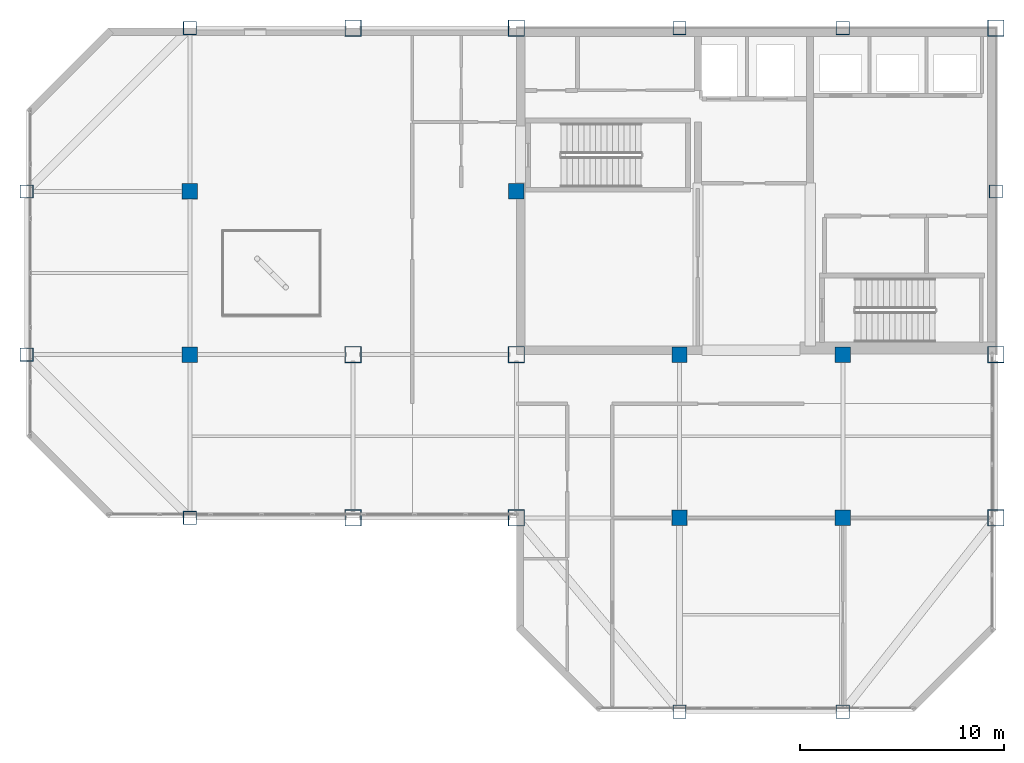
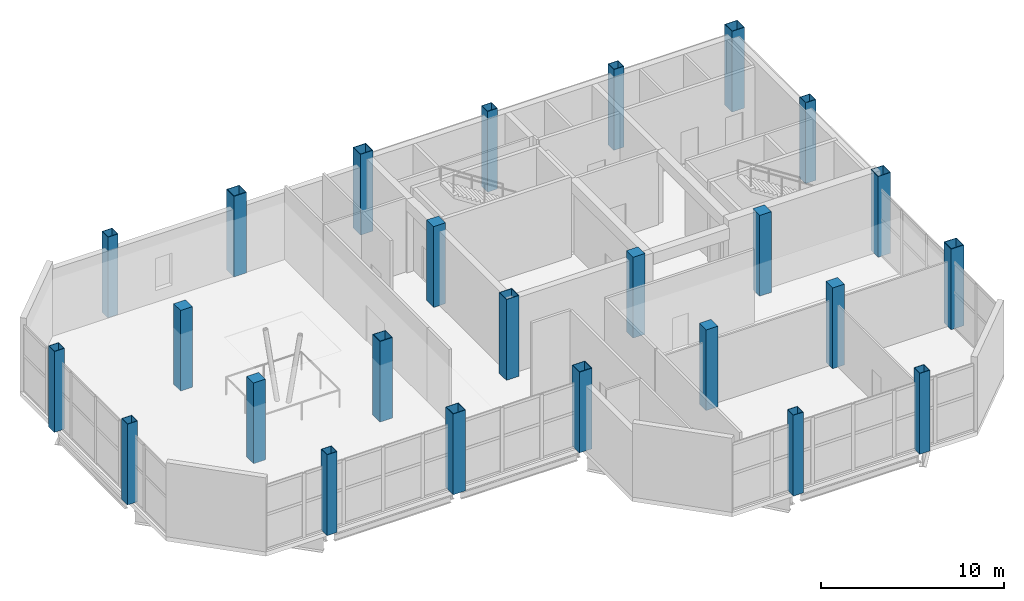
# One storey, part 1 of 16: 25 columns.
"""IFC4 building model written with IfcOpenShell, lengths in metres."""

from ifc_helpers import new_model, si_unit, direction, frame, origin, origin_2d, place, context, subcontext, project, spatial, rectangle, hollow_rectangle, extrude, material, material_profile, profile_set, type_object, element, save


model = new_model("IFC4")

# Units and contexts
model_context = context("Model", 3, precision=1e-05, world=origin(), true_north=direction((0.0, 1.0)))
body_context = subcontext(model_context, "Body", "Model", "MODEL_VIEW")
ifc_project = project(units=[si_unit("LENGTHUNIT", "METRE"), si_unit("AREAUNIT", "SQUARE_METRE"), si_unit("VOLUMEUNIT", "CUBIC_METRE"), si_unit("PLANEANGLEUNIT", "RADIAN"), si_unit("MASSUNIT", "GRAM", prefix="KILO")], contexts=[model_context])

# Site, building, storey
site_placement = place(None, origin())
site = spatial("IfcSite", under=ifc_project, at=site_placement, CompositionType="ELEMENT")
building_placement = place(site_placement, origin())
building = spatial("IfcBuilding", under=site, at=building_placement, Name="Qianrong Seaharbour Tower", CompositionType="ELEMENT")
storey_placement = place(building_placement, frame((0.0, 0.0, 378.39990234375)))
storey = spatial("IfcBuildingStorey", under=building, at=storey_placement, Name="L91", CompositionType="ELEMENT", Elevation=378.39990234375)

# Columns
ifc_material_1 = material(Name="Structural steel SN490B", Category="steel")
ifc_material_profile_1 = material_profile(ifc_material_1, hollow_rectangle(XDim=0.800048828125, YDim=0.800048828125, WallThickness=0.031982421875, at=origin_2d()), Name="BOX800x800x32")
ifc_profile_set_1 = profile_set([ifc_material_profile_1], Name="Structural steel SN490B")
column_type_1 = type_object("IfcColumnType", Name="COL-CFT-800", PredefinedType="COLUMN", material=ifc_profile_set_1)
for number, where, z_axis, x_axis, name in (
    (1, (32.5, 28.0, 0.0), (0.0, 0.0, 1.0), (1.0, 0.0, 0.0), "L91 Column MC-5 at G5/GE"),
    (2, (32.5, 36.0, 0.0), (0.0, 0.0, 1.0), (1.0, 0.0, 0.0), "L91 Column MC-5 at G5/GF"),
    (3, (32.5, 52.0, 0.0), (0.0, 0.0, 1.0), (1.0, 0.0, 0.0), "L91 Column MC-5 at G5/GH"),
    (4, (40.5, 28.0, 0.0), (0.0, 0.0, 1.0), (1.0, 0.0, 0.0), "L91 Column MC-5 at G6/GE"),
    (5, (40.5, 36.0, 0.0), (0.0, 0.0, 1.0), (1.0, 0.0, 0.0), "L91 Column MC-5 at G6/GF"),
    (6, (40.5, 52.0, 0.0), (0.0, 0.0, 1.0), (1.0, 0.0, 0.0), "L91 Column MC-5 at G6/GH"),
    (7, (64.0, 28.0, 0.0), (0.0, 0.0, 1.0), (1.0, 0.0, 0.0), "L91 Column MC-5 at G9/GE"),
    (8, (64.0, 36.0, 0.0), (0.0, 0.0, 1.0), (1.0, 0.0, 0.0), "L91 Column MC-5 at G9/GF"),
    (9, (64.0, 52.0, 0.0), (0.0, 0.0, 1.0), (1.0, 0.0, 0.0), "L91 Column MC-5 at G9/GH"),
):
    element("IfcColumn", number, at=place(storey_placement, frame(where, z_axis=z_axis, x_axis=x_axis)), inside=storey, type_object=column_type_1, Name=name, PredefinedType="COLUMN", context=body_context, shape_type="SweptSolid", body=[
        extrude(hollow_rectangle(XDim=0.800048828125, YDim=0.800048828125, WallThickness=0.031982421875, at=origin_2d()), origin(), (0.0, 0.0, 1.0), 5.400146484375),
    ])
ifc_material_2 = material(Name="Concrete C50/60", Category="concrete")
ifc_material_profile_2 = material_profile(ifc_material_2, rectangle(XDim=0.75, YDim=0.75, at=origin_2d()), Name="RC750x750")
ifc_profile_set_2 = profile_set([ifc_material_profile_2], Name="Concrete C50/60")
column_type_2 = type_object("IfcColumnType", Name="COL-INT-RC750", PredefinedType="COLUMN", material=ifc_profile_set_2)
for number, where, z_axis, x_axis, name in (
    (10, (24.5, 36.0, 0.0), (0.0, 0.0, 1.0), (1.0, 0.0, 0.0), "L91 Column IC-4 at G4/GF"),
    (11, (24.5, 44.0, 0.0), (0.0, 0.0, 1.0), (1.0, 0.0, 0.0), "L91 Column IC-4 at G4/GG"),
    (12, (40.5, 44.0, 0.0), (0.0, 0.0, 1.0), (1.0, 0.0, 0.0), "L91 Column IC-4 at G6/GG"),
    (13, (48.5, 28.0, 0.0), (0.0, 0.0, 1.0), (1.0, 0.0, 0.0), "L91 Column IC-4 at G7/GE"),
    (14, (48.5, 36.0, 0.0), (0.0, 0.0, 1.0), (1.0, 0.0, 0.0), "L91 Column IC-4 at G7/GF"),
    (15, (56.5, 28.0, 0.0), (0.0, 0.0, 1.0), (1.0, 0.0, 0.0), "L91 Column IC-4 at G8/GE"),
    (16, (56.5, 36.0, 0.0), (0.0, 0.0, 1.0), (1.0, 0.0, 0.0), "L91 Column IC-4 at G8/GF"),
):
    element("IfcColumn", number, at=place(storey_placement, frame(where, z_axis=z_axis, x_axis=x_axis)), inside=storey, type_object=column_type_2, Name=name, PredefinedType="COLUMN", context=body_context, shape_type="SweptSolid", body=[
        extrude(rectangle(XDim=0.75, YDim=0.75, at=origin_2d()), origin(), (0.0, 0.0, 1.0), 5.400146484375),
    ])
ifc_material_3 = material(Name="Structural steel SN400B", Category="steel")
ifc_material_profile_3 = material_profile(ifc_material_3, hollow_rectangle(XDim=0.64990234375, YDim=0.64990234375, WallThickness=0.028076171875, at=origin_2d()), Name="BOX650x650x28")
ifc_profile_set_3 = profile_set([ifc_material_profile_3], Name="Structural steel SN400B")
column_type_3 = type_object("IfcColumnType", Name="COL-PER-650", PredefinedType="COLUMN", material=ifc_profile_set_3)
for number, where, z_axis, x_axis, name in (
    (17, (16.5, 36.0, 0.0), (0.0, 0.0, 1.0), (1.0, 0.0, 0.0), "L91 Column PC-4 at G3/GF"),
    (18, (16.5, 44.0, 0.0), (0.0, 0.0, 1.0), (1.0, 0.0, 0.0), "L91 Column PC-4 at G3/GG"),
    (19, (24.5, 28.0, 0.0), (0.0, 0.0, 1.0), (1.0, 0.0, 0.0), "L91 Column PC-4 at G4/GE"),
    (20, (24.5, 52.0, 0.0), (0.0, 0.0, 1.0), (1.0, 0.0, 0.0), "L91 Column PC-4 at G4/GH"),
    (21, (48.5, 18.5, 0.0), (0.0, 0.0, 1.0), (1.0, 0.0, 0.0), "L91 Column PC-4 at G7/GD"),
    (22, (48.5, 52.0, 0.0), (0.0, 0.0, 1.0), (1.0, 0.0, 0.0), "L91 Column PC-4 at G7/GH"),
    (23, (56.5, 18.5, 0.0), (0.0, 0.0, 1.0), (1.0, 0.0, 0.0), "L91 Column PC-4 at G8/GD"),
    (24, (56.5, 52.0, 0.0), (0.0, 0.0, 1.0), (1.0, 0.0, 0.0), "L91 Column PC-4 at G8/GH"),
    (25, (64.0, 44.0, 0.0), (0.0, 0.0, 1.0), (1.0, 0.0, 0.0), "L91 Column PC-4 at G9/GG"),
):
    element("IfcColumn", number, at=place(storey_placement, frame(where, z_axis=z_axis, x_axis=x_axis)), inside=storey, type_object=column_type_3, Name=name, PredefinedType="COLUMN", context=body_context, shape_type="SweptSolid", body=[
        extrude(hollow_rectangle(XDim=0.64990234375, YDim=0.64990234375, WallThickness=0.028076171875, at=origin_2d()), origin(), (0.0, 0.0, 1.0), 5.400146484375),
    ])

save(model, "model.ifc")
